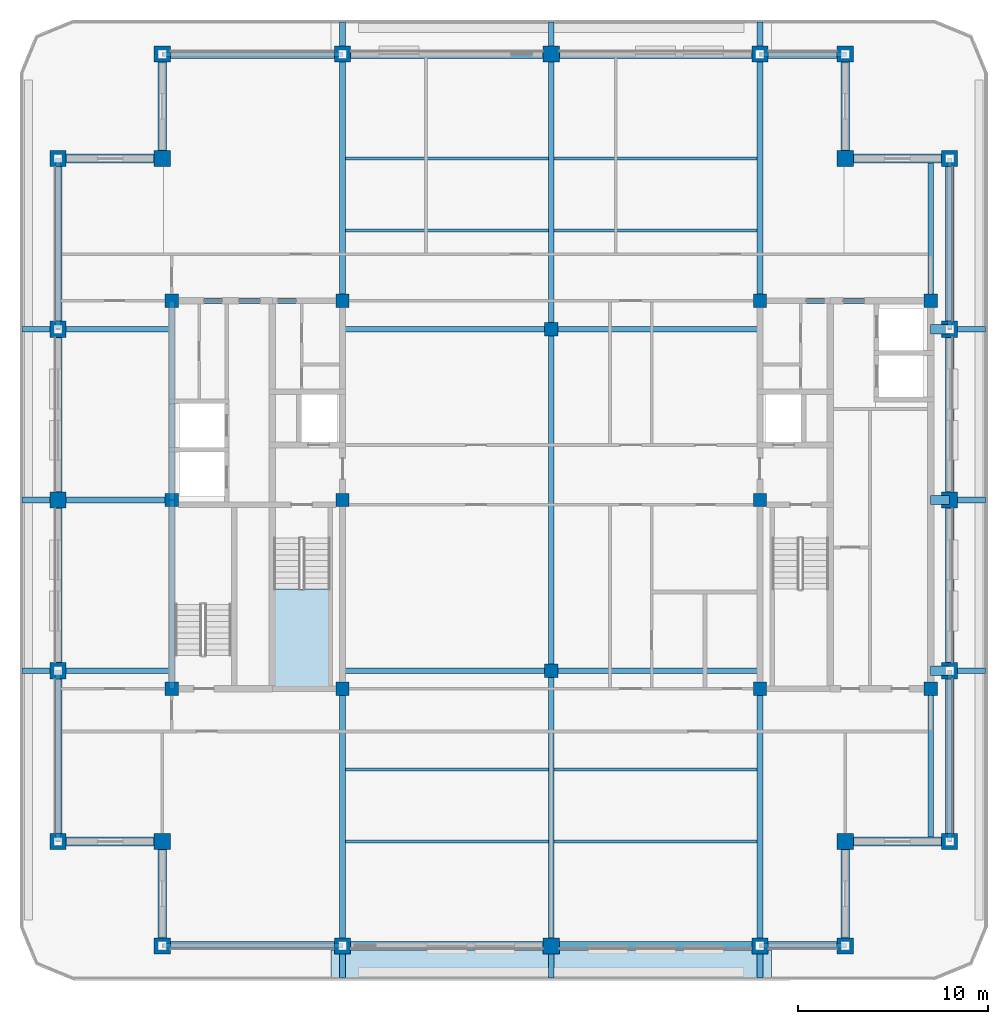
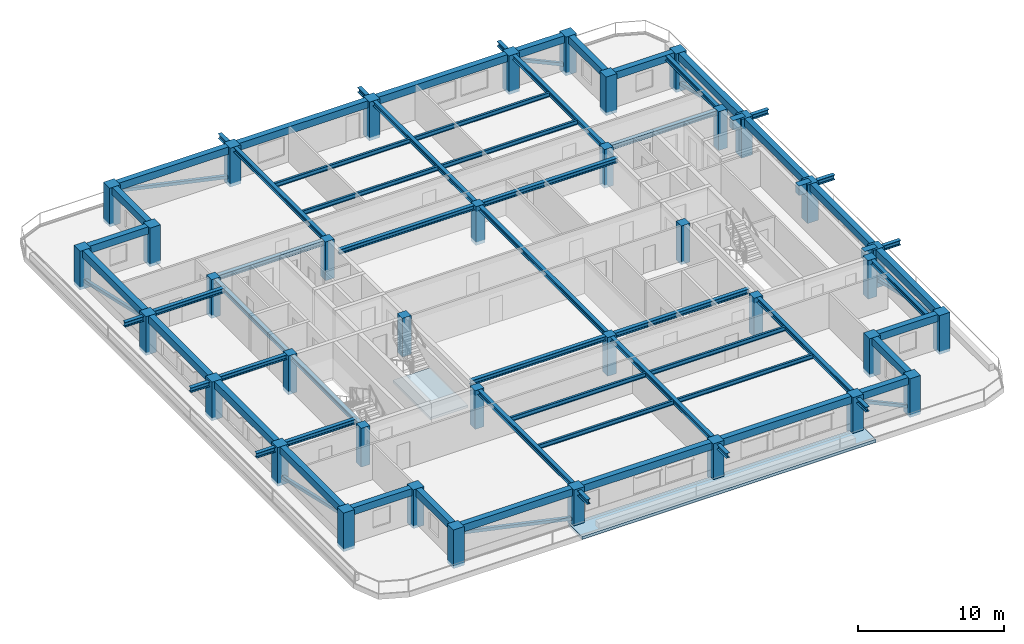
# One storey, part 1 of 11: 67 beams, 37 columns, 8 members, 2 slabs, 1 element without a shape of its own.
"""IFC4 building model written with IfcOpenShell, lengths in metres."""

from ifc_helpers import new_model, si_unit, direction, frame, origin, origin_2d, place, context, subcontext, project, spatial, polyline, rectangle, hollow_rectangle, i_section, outline, extrude, material, layer, layer_set, material_profile, profile_set, type_object, element, aggregate, save


model = new_model("IFC4")

# Units and contexts
model_context = context("Model", 3, precision=1e-05, world=origin(), true_north=direction((0.0, 1.0)))
body_context = subcontext(model_context, "Body", "Model", "MODEL_VIEW")
ifc_project = project(units=[si_unit("LENGTHUNIT", "METRE"), si_unit("AREAUNIT", "SQUARE_METRE"), si_unit("VOLUMEUNIT", "CUBIC_METRE"), si_unit("PLANEANGLEUNIT", "RADIAN"), si_unit("MASSUNIT", "GRAM", prefix="KILO")], contexts=[model_context])

# Site, building, storey
site_placement = place(None, origin())
site = spatial("IfcSite", under=ifc_project, at=site_placement, CompositionType="ELEMENT")
building_placement = place(site_placement, origin())
building = spatial("IfcBuilding", under=site, at=building_placement, Name="Zulmaris Gate Convention Tower", CompositionType="ELEMENT")
storey_placement = place(building_placement, frame((0.0, 0.0, 260.889892578125)))
storey = spatial("IfcBuildingStorey", under=building, at=storey_placement, Name="L69", CompositionType="ELEMENT", Elevation=260.889892578125)

# Columns
ifc_material_1 = material(Name="Concrete C50/60", Category="concrete")
ifc_material_profile_1 = material_profile(ifc_material_1, rectangle(XDim=0.699951171875, YDim=0.699951171875, at=origin_2d()), Name="RC COL 700x700")
ifc_profile_set_1 = profile_set([ifc_material_profile_1], Name="Concrete C50/60")
column_type_1 = type_object("IfcColumnType", Name="COL-RC700", PredefinedType="COLUMN", material=ifc_profile_set_1)
for number, where, z_axis, x_axis, name in (
    (1, (-20.0, -9.949951171875, -0.25), (0.0, 0.0, 1.0), (1.0, 0.0, 0.0), "L69 Column IN--20.00_-9.95"),
    (2, (-20.0, 10.5, -0.25), (0.0, 0.0, 1.0), (1.0, 0.0, 0.0), "L69 Column IN--20.00_+10.50"),
    (3, (-11.0, -9.949951171875, -0.25), (0.0, 0.0, 1.0), (1.0, 0.0, 0.0), "L69 Column IN--11.00_-9.95"),
    (4, (-11.0, 0.0, -0.25), (0.0, 0.0, 1.0), (1.0, 0.0, 0.0), "L69 Column IN--11.00_+0.00"),
    (5, (-11.0, 10.5, -0.25), (0.0, 0.0, 1.0), (1.0, 0.0, 0.0), "L69 Column IN--11.00_+10.50"),
    (6, (11.0, -9.949951171875, -0.25), (0.0, 0.0, 1.0), (1.0, 0.0, 0.0), "L69 Column IN-+11.00_-9.95"),
    (7, (11.0, 0.0, -0.25), (0.0, 0.0, 1.0), (1.0, 0.0, 0.0), "L69 Column IN-+11.00_+0.00"),
    (8, (11.0, 10.5, -0.25), (0.0, 0.0, 1.0), (1.0, 0.0, 0.0), "L69 Column IN-+11.00_+10.50"),
    (9, (20.0, -9.949951171875, -0.25), (0.0, 0.0, 1.0), (1.0, 0.0, 0.0), "L69 Column IN-+20.00_-9.95"),
    (10, (20.0, 10.5, -0.25), (0.0, 0.0, 1.0), (1.0, 0.0, 0.0), "L69 Column IN-+20.00_+10.50"),
    (11, (0.0, -9.0, -0.25), (0.0, 0.0, 1.0), (1.0, 0.0, 0.0), "L69 Column IN-+0.00_-9.00"),
    (12, (0.0, 9.0, -0.25), (0.0, 0.0, 1.0), (1.0, 0.0, 0.0), "L69 Column IN-+0.00_+9.00"),
    (13, (-20.0, 0.0, -0.25), (0.0, 0.0, 1.0), (1.0, 0.0, 0.0), "L69 Column IN--20.00_+0.00"),
):
    element("IfcColumn", number, at=place(storey_placement, frame(where, z_axis=z_axis, x_axis=x_axis)), inside=storey, type_object=column_type_1, Name=name, PredefinedType="COLUMN", context=body_context, shape_type="SweptSolid", body=[
        extrude(rectangle(XDim=0.699951171875, YDim=0.699951171875, at=origin_2d()), origin(), (0.0, 0.0, 1.0), 3.22998046875),
    ])
ifc_material_2 = material(Name="Concrete C60/75", Category="concrete")
ifc_material_profile_2 = material_profile(ifc_material_2, rectangle(XDim=0.85009765625, YDim=0.85009765625, at=origin_2d()), Name="RC COL 850x850")
ifc_profile_set_2 = profile_set([ifc_material_profile_2], Name="Concrete C60/75")
column_type_2 = type_object("IfcColumnType", Name="COL-RC850", PredefinedType="COLUMN", material=ifc_profile_set_2)
for number, where, z_axis, x_axis, name in (
    (14, (-20.5, -23.5, -0.25), (0.0, 0.0, 1.0), (1.0, 0.0, 0.0), "L69 Column PT--20.50_-23.50"),
    (15, (-11.0, -23.5, -0.25), (0.0, 0.0, 1.0), (1.0, 0.0, 0.0), "L69 Column PT--11.00_-23.50"),
    (16, (0.0, -23.5, -0.25), (0.0, 0.0, 1.0), (1.0, 0.0, 0.0), "L69 Column PT-+0.00_-23.50"),
    (17, (11.0, -23.5, -0.25), (0.0, 0.0, 1.0), (1.0, 0.0, 0.0), "L69 Column PT-+11.00_-23.50"),
    (18, (15.5, -23.5, -0.25), (0.0, 0.0, 1.0), (1.0, 0.0, 0.0), "L69 Column PT-+15.50_-23.50"),
    (19, (-20.5, 23.5, -0.25), (0.0, 0.0, 1.0), (1.0, 0.0, 0.0), "L69 Column PT--20.50_+23.50"),
    (20, (-11.0, 23.5, -0.25), (0.0, 0.0, 1.0), (1.0, 0.0, 0.0), "L69 Column PT--11.00_+23.50"),
    (21, (0.0, 23.5, -0.25), (0.0, 0.0, 1.0), (1.0, 0.0, 0.0), "L69 Column PT-+0.00_+23.50"),
    (22, (11.0, 23.5, -0.25), (0.0, 0.0, 1.0), (1.0, 0.0, 0.0), "L69 Column PT-+11.00_+23.50"),
    (23, (15.5, 23.5, -0.25), (0.0, 0.0, 1.0), (1.0, 0.0, 0.0), "L69 Column PT-+15.50_+23.50"),
    (24, (-26.0, -18.0, -0.25), (0.0, 0.0, 1.0), (1.0, 0.0, 0.0), "L69 Column PT--26.00_-18.00"),
    (25, (-26.0, -9.0, -0.25), (0.0, 0.0, 1.0), (1.0, 0.0, 0.0), "L69 Column PT--26.00_-9.00"),
    (26, (-26.0, 0.0, -0.25), (0.0, 0.0, 1.0), (1.0, 0.0, 0.0), "L69 Column PT--26.00_+0.00"),
    (27, (-26.0, 9.0, -0.25), (0.0, 0.0, 1.0), (1.0, 0.0, 0.0), "L69 Column PT--26.00_+9.00"),
    (28, (-26.0, 18.0, -0.25), (0.0, 0.0, 1.0), (1.0, 0.0, 0.0), "L69 Column PT--26.00_+18.00"),
    (29, (21.0, -18.0, -0.25), (0.0, 0.0, 1.0), (1.0, 0.0, 0.0), "L69 Column PT-+21.00_-18.00"),
    (30, (21.0, -9.0, -0.25), (0.0, 0.0, 1.0), (1.0, 0.0, 0.0), "L69 Column PT-+21.00_-9.00"),
    (31, (21.0, 0.0, -0.25), (0.0, 0.0, 1.0), (1.0, 0.0, 0.0), "L69 Column PT-+21.00_+0.00"),
    (32, (21.0, 9.0, -0.25), (0.0, 0.0, 1.0), (1.0, 0.0, 0.0), "L69 Column PT-+21.00_+9.00"),
    (33, (21.0, 18.0, -0.25), (0.0, 0.0, 1.0), (1.0, 0.0, 0.0), "L69 Column PT-+21.00_+18.00"),
    (34, (-20.5, -18.0, -0.25), (0.0, 0.0, 1.0), (1.0, 0.0, 0.0), "L69 Column PT--20.50_-18.00"),
    (35, (15.5, -18.0, -0.25), (0.0, 0.0, 1.0), (1.0, 0.0, 0.0), "L69 Column PT-+15.50_-18.00"),
    (36, (15.5, 18.0, -0.25), (0.0, 0.0, 1.0), (1.0, 0.0, 0.0), "L69 Column PT-+15.50_+18.00"),
    (37, (-20.5, 18.0, -0.25), (0.0, 0.0, 1.0), (1.0, 0.0, 0.0), "L69 Column PT--20.50_+18.00"),
):
    element("IfcColumn", number, at=place(storey_placement, frame(where, z_axis=z_axis, x_axis=x_axis)), inside=storey, type_object=column_type_2, Name=name, PredefinedType="COLUMN", context=body_context, shape_type="SweptSolid", body=[
        extrude(rectangle(XDim=0.85009765625, YDim=0.85009765625, at=origin_2d()), origin(), (0.0, 0.0, 1.0), 3.22998046875),
    ])

# Beams
ifc_material_3 = material(Name="Steel S355", Category="steel")
ifc_material_profile_3 = material_profile(ifc_material_3, i_section(OverallWidth=0.300048828125, OverallDepth=0.39990234375, WebThickness=0.013427734375, FlangeThickness=0.02392578125, FilletRadius=0.027099609375, at=origin_2d()), Name="HEB 400")
ifc_profile_set_3 = profile_set([ifc_material_profile_3], Name="Steel S355")
beam_type_1 = type_object("IfcBeamType", Name="BM-HEB400", PredefinedType="BEAM", material=ifc_profile_set_3)
for number, where, z_axis, x_axis, name in (
    (38, (-11.0, -25.199951171875, 2.639892578125), (0.0, 1.0, 0.0), (-1.0, 0.0, 0.0), "L69 Beam TBRK-L69-S--11"),
    (39, (-11.0, 23.5, 2.639892578125), (0.0, 1.0, 0.0), (-1.0, 0.0, 0.0), "L69 Beam TBRK-L69-N--11"),
    (40, (0.0, -25.199951171875, 2.639892578125), (0.0, 1.0, 0.0), (-1.0, 0.0, 0.0), "L69 Beam TBRK-L69-S-+0"),
    (41, (0.0, 23.5, 2.639892578125), (0.0, 1.0, 0.0), (-1.0, 0.0, 0.0), "L69 Beam TBRK-L69-N-+0"),
    (42, (11.0, -25.199951171875, 2.639892578125), (0.0, 1.0, 0.0), (-1.0, 0.0, 0.0), "L69 Beam TBRK-L69-S-+11"),
    (43, (11.0, 23.5, 2.639892578125), (0.0, 1.0, 0.0), (-1.0, 0.0, 0.0), "L69 Beam TBRK-L69-N-+11"),
):
    element("IfcBeam", number, at=place(storey_placement, frame(where, z_axis=z_axis, x_axis=x_axis)), inside=storey, type_object=beam_type_1, Name=name, PredefinedType="BEAM", context=body_context, shape_type="SweptSolid", body=[
        extrude(i_section(OverallWidth=0.300048828125, OverallDepth=0.39990234375, WebThickness=0.013427734375, FlangeThickness=0.02392578125, FilletRadius=0.027099609375, at=origin_2d()), origin(), (0.0, 0.0, 1.0), 1.699951171875),
    ])
for number, where, z_axis, x_axis, name in (
    (44, (-27.89990234375, -9.0, 2.639892578125), (1.0, 0.0, 0.0), (0.0, 1.0, 0.0), "L69 Beam TBRK-L69-W--9"),
    (45, (21.0, -9.0, 2.639892578125), (1.0, 0.0, 0.0), (0.0, 1.0, 0.0), "L69 Beam TBRK-L69-E--9"),
    (46, (-27.89990234375, 0.0, 2.639892578125), (1.0, 0.0, 0.0), (0.0, 1.0, 0.0), "L69 Beam TBRK-L69-W-+0"),
    (47, (21.0, 0.0, 2.639892578125), (1.0, 0.0, 0.0), (0.0, 1.0, 0.0), "L69 Beam TBRK-L69-E-+0"),
    (48, (-27.89990234375, 9.0, 2.639892578125), (1.0, 0.0, 0.0), (0.0, 1.0, 0.0), "L69 Beam TBRK-L69-W-+9"),
    (49, (21.0, 9.0, 2.639892578125), (1.0, 0.0, 0.0), (0.0, 1.0, 0.0), "L69 Beam TBRK-L69-E-+9"),
):
    element("IfcBeam", number, at=place(storey_placement, frame(where, z_axis=z_axis, x_axis=x_axis)), inside=storey, type_object=beam_type_1, Name=name, PredefinedType="BEAM", context=body_context, shape_type="SweptSolid", body=[
        extrude(i_section(OverallWidth=0.300048828125, OverallDepth=0.39990234375, WebThickness=0.013427734375, FlangeThickness=0.02392578125, FilletRadius=0.027099609375, at=origin_2d()), origin(), (0.0, 0.0, 1.0), 1.89990234375),
    ])
for number, where, z_axis, x_axis, name in (
    (50, (-11.0, -9.0, 2.778076171875), (1.0, 0.0, 0.0), (0.0, 1.0, 0.0), "L69 Beam BM-L69-G01"),
    (51, (0.0, -9.0, 2.778076171875), (1.0, 0.0, 0.0), (0.0, 1.0, 0.0), "L69 Beam BM-L69-G02"),
    (52, (-11.0, 9.0, 2.778076171875), (1.0, 0.0, 0.0), (0.0, 1.0, 0.0), "L69 Beam BM-L69-G03"),
    (53, (0.0, 9.0, 2.778076171875), (1.0, 0.0, 0.0), (0.0, 1.0, 0.0), "L69 Beam BM-L69-G04"),
):
    element("IfcBeam", number, at=place(storey_placement, frame(where, z_axis=z_axis, x_axis=x_axis)), inside=storey, type_object=beam_type_1, Name=name, PredefinedType="BEAM", context=body_context, shape_type="SweptSolid", body=[
        extrude(i_section(OverallWidth=0.300048828125, OverallDepth=0.39990234375, WebThickness=0.013427734375, FlangeThickness=0.02392578125, FilletRadius=0.027099609375, at=origin_2d()), origin(), (0.0, 0.0, 1.0), 11.0),
    ])
beam_1_placement = place(storey_placement, frame((0.0, -23.5, 2.778076171875), z_axis=(0.0, 1.0, 0.0), x_axis=(-1.0, 0.0, 0.0)))
element("IfcBeam", 54, at=beam_1_placement, inside=storey, type_object=beam_type_1, Name="L69 Beam BM-L69-G05", PredefinedType="BEAM", context=body_context, shape_type="SweptSolid", body=[
    extrude(i_section(OverallWidth=0.300048828125, OverallDepth=0.39990234375, WebThickness=0.013427734375, FlangeThickness=0.02392578125, FilletRadius=0.027099609375, at=origin_2d()), origin(), (0.0, 0.0, 1.0), 14.5),
])
beam_2_placement = place(storey_placement, frame((0.0, -9.0, 2.778076171875), z_axis=(0.0, 1.0, 0.0), x_axis=(-1.0, 0.0, 0.0)))
element("IfcBeam", 55, at=beam_2_placement, inside=storey, type_object=beam_type_1, Name="L69 Beam BM-L69-G06", PredefinedType="BEAM", context=body_context, shape_type="SweptSolid", body=[
    extrude(i_section(OverallWidth=0.300048828125, OverallDepth=0.39990234375, WebThickness=0.013427734375, FlangeThickness=0.02392578125, FilletRadius=0.027099609375, at=origin_2d()), origin(), (0.0, 0.0, 1.0), 18.0),
])
beam_3_placement = place(storey_placement, frame((0.0, 9.0, 2.778076171875), z_axis=(0.0, 1.0, 0.0), x_axis=(-1.0, 0.0, 0.0)))
element("IfcBeam", 56, at=beam_3_placement, inside=storey, type_object=beam_type_1, Name="L69 Beam BM-L69-G07", PredefinedType="BEAM", context=body_context, shape_type="SweptSolid", body=[
    extrude(i_section(OverallWidth=0.300048828125, OverallDepth=0.39990234375, WebThickness=0.013427734375, FlangeThickness=0.02392578125, FilletRadius=0.027099609375, at=origin_2d()), origin(), (0.0, 0.0, 1.0), 14.5),
])
beam_4_placement = place(storey_placement, frame((-11.0, -23.5, 2.778076171875), z_axis=(0.0, 1.0, 0.0), x_axis=(-1.0, 0.0, 0.0)))
element("IfcBeam", 57, at=beam_4_placement, inside=storey, type_object=beam_type_1, Name="L69 Beam BM-L69-G08", PredefinedType="BEAM", context=body_context, shape_type="SweptSolid", body=[
    extrude(i_section(OverallWidth=0.300048828125, OverallDepth=0.39990234375, WebThickness=0.013427734375, FlangeThickness=0.02392578125, FilletRadius=0.027099609375, at=origin_2d()), origin(), (0.0, 0.0, 1.0), 13.550048828125),
])
beam_5_placement = place(storey_placement, frame((-11.0, 10.5, 2.778076171875), z_axis=(0.0, 1.0, 0.0), x_axis=(-1.0, 0.0, 0.0)))
element("IfcBeam", 58, at=beam_5_placement, inside=storey, type_object=beam_type_1, Name="L69 Beam BM-L69-G09", PredefinedType="BEAM", context=body_context, shape_type="SweptSolid", body=[
    extrude(i_section(OverallWidth=0.300048828125, OverallDepth=0.39990234375, WebThickness=0.013427734375, FlangeThickness=0.02392578125, FilletRadius=0.027099609375, at=origin_2d()), origin(), (0.0, 0.0, 1.0), 13.0),
])
beam_6_placement = place(storey_placement, frame((11.0, -23.5, 2.778076171875), z_axis=(0.0, 1.0, 0.0), x_axis=(-1.0, 0.0, 0.0)))
element("IfcBeam", 59, at=beam_6_placement, inside=storey, type_object=beam_type_1, Name="L69 Beam BM-L69-G10", PredefinedType="BEAM", context=body_context, shape_type="SweptSolid", body=[
    extrude(i_section(OverallWidth=0.300048828125, OverallDepth=0.39990234375, WebThickness=0.013427734375, FlangeThickness=0.02392578125, FilletRadius=0.027099609375, at=origin_2d()), origin(), (0.0, 0.0, 1.0), 13.550048828125),
])
beam_7_placement = place(storey_placement, frame((11.0, 10.5, 2.778076171875), z_axis=(0.0, 1.0, 0.0), x_axis=(-1.0, 0.0, 0.0)))
element("IfcBeam", 60, at=beam_7_placement, inside=storey, type_object=beam_type_1, Name="L69 Beam BM-L69-G11", PredefinedType="BEAM", context=body_context, shape_type="SweptSolid", body=[
    extrude(i_section(OverallWidth=0.300048828125, OverallDepth=0.39990234375, WebThickness=0.013427734375, FlangeThickness=0.02392578125, FilletRadius=0.027099609375, at=origin_2d()), origin(), (0.0, 0.0, 1.0), 13.0),
])
beam_8_placement = place(storey_placement, frame((20.0, -18.0, 2.778076171875), z_axis=(0.0, 1.0, 0.0), x_axis=(-1.0, 0.0, 0.0)))
element("IfcBeam", 61, at=beam_8_placement, inside=storey, type_object=beam_type_1, Name="L69 Beam BM-L69-G14", PredefinedType="BEAM", context=body_context, shape_type="SweptSolid", body=[
    extrude(i_section(OverallWidth=0.300048828125, OverallDepth=0.39990234375, WebThickness=0.013427734375, FlangeThickness=0.02392578125, FilletRadius=0.027099609375, at=origin_2d()), origin(), (0.0, 0.0, 1.0), 8.050048828125),
])
beam_9_placement = place(storey_placement, frame((20.0, 10.5, 2.778076171875), z_axis=(0.0, 1.0, 0.0), x_axis=(-1.0, 0.0, 0.0)))
element("IfcBeam", 62, at=beam_9_placement, inside=storey, type_object=beam_type_1, Name="L69 Beam BM-L69-G15", PredefinedType="BEAM", context=body_context, shape_type="SweptSolid", body=[
    extrude(i_section(OverallWidth=0.300048828125, OverallDepth=0.39990234375, WebThickness=0.013427734375, FlangeThickness=0.02392578125, FilletRadius=0.027099609375, at=origin_2d()), origin(), (0.0, 0.0, 1.0), 7.5),
])
for number, where, z_axis, x_axis, name in (
    (63, (-26.0, -9.0, 2.778076171875), (1.0, 0.0, 0.0), (0.0, 1.0, 0.0), "L69 Beam BM-L69-G16"),
    (64, (-26.0, 0.0, 2.778076171875), (1.0, 0.0, 0.0), (0.0, 1.0, 0.0), "L69 Beam BM-L69-G17"),
    (65, (-26.0, 9.0, 2.778076171875), (1.0, 0.0, 0.0), (0.0, 1.0, 0.0), "L69 Beam BM-L69-G18"),
):
    element("IfcBeam", number, at=place(storey_placement, frame(where, z_axis=z_axis, x_axis=x_axis)), inside=storey, type_object=beam_type_1, Name=name, PredefinedType="BEAM", context=body_context, shape_type="SweptSolid", body=[
        extrude(i_section(OverallWidth=0.300048828125, OverallDepth=0.39990234375, WebThickness=0.013427734375, FlangeThickness=0.02392578125, FilletRadius=0.027099609375, at=origin_2d()), origin(), (0.0, 0.0, 1.0), 6.0),
    ])
for number, where, z_axis, x_axis, name in (
    (66, (-20.0, 10.5, 2.778076171875), (1.0, 0.0, 0.0), (0.0, 1.0, 0.0), "L69 Beam BM-L69-G23"),
    (67, (11.0, 10.5, 2.778076171875), (1.0, 0.0, 0.0), (0.0, 1.0, 0.0), "L69 Beam BM-L69-G25"),
):
    element("IfcBeam", number, at=place(storey_placement, frame(where, z_axis=z_axis, x_axis=x_axis)), inside=storey, type_object=beam_type_1, Name=name, PredefinedType="BEAM", context=body_context, shape_type="SweptSolid", body=[
        extrude(i_section(OverallWidth=0.300048828125, OverallDepth=0.39990234375, WebThickness=0.013427734375, FlangeThickness=0.02392578125, FilletRadius=0.027099609375, at=origin_2d()), origin(), (0.0, 0.0, 1.0), 9.0),
    ])
beam_10_placement = place(storey_placement, frame((-20.0, -9.949951171875, 2.778076171875), z_axis=(0.0, 1.0, 0.0), x_axis=(-1.0, 0.0, 0.0)))
element("IfcBeam", 68, at=beam_10_placement, inside=storey, type_object=beam_type_1, Name="L69 Beam BM-L69-G26", PredefinedType="BEAM", context=body_context, shape_type="SweptSolid", body=[
    extrude(i_section(OverallWidth=0.300048828125, OverallDepth=0.39990234375, WebThickness=0.013427734375, FlangeThickness=0.02392578125, FilletRadius=0.027099609375, at=origin_2d()), origin(), (0.0, 0.0, 1.0), 9.949951171875),
])
beam_11_placement = place(storey_placement, frame((-20.0, 0.0, 2.778076171875), z_axis=(0.0, 1.0, 0.0), x_axis=(-1.0, 0.0, 0.0)))
element("IfcBeam", 69, at=beam_11_placement, inside=storey, type_object=beam_type_1, Name="L69 Beam BM-L69-G27", PredefinedType="BEAM", context=body_context, shape_type="SweptSolid", body=[
    extrude(i_section(OverallWidth=0.300048828125, OverallDepth=0.39990234375, WebThickness=0.013427734375, FlangeThickness=0.02392578125, FilletRadius=0.027099609375, at=origin_2d()), origin(), (0.0, 0.0, 1.0), 10.5),
])
ifc_material_profile_4 = material_profile(ifc_material_1, rectangle(XDim=0.5, YDim=0.800048828125, at=origin_2d()), Name="RC BEAM 500x800")
ifc_profile_set_4 = profile_set([ifc_material_profile_4], Name="Concrete C50/60")
beam_type_2 = type_object("IfcBeamType", Name="BM-RC500x800", PredefinedType="BEAM", material=ifc_profile_set_4)
for number, where, z_axis, x_axis, name in (
    (70, (20.0, -9.0, 2.580078125), (1.0, 0.0, 0.0), (0.0, 1.0, 0.0), "L69 Beam BM-L69-G19"),
    (71, (20.0, 0.0, 2.580078125), (1.0, 0.0, 0.0), (0.0, 1.0, 0.0), "L69 Beam BM-L69-G20"),
    (72, (20.0, 9.0, 2.580078125), (1.0, 0.0, 0.0), (0.0, 1.0, 0.0), "L69 Beam BM-L69-G21"),
):
    element("IfcBeam", number, at=place(storey_placement, frame(where, z_axis=z_axis, x_axis=x_axis)), inside=storey, type_object=beam_type_2, Name=name, PredefinedType="BEAM", context=body_context, shape_type="SweptSolid", body=[
        extrude(rectangle(XDim=0.5, YDim=0.800048828125, at=origin_2d()), origin(), (0.0, 0.0, 1.0), 1.0),
    ])
ifc_material_4 = material(Name="Precast concrete C50/60", Category="concrete")
ifc_material_profile_5 = material_profile(ifc_material_4, rectangle(XDim=0.449951171875, YDim=0.60009765625, at=origin_2d()), Name="RC SPANDREL 450x600")
ifc_profile_set_5 = profile_set([ifc_material_profile_5], Name="Precast concrete C50/60")
beam_type_3 = type_object("IfcBeamType", Name="BM-SP450x600", PredefinedType="SPANDREL", material=ifc_profile_set_5)
beam_12_placement = place(storey_placement, frame((-20.5, -23.5, 2.679931640625), z_axis=(1.0, 0.0, 0.0), x_axis=(0.0, 1.0, 0.0)))
element("IfcBeam", 73, at=beam_12_placement, inside=storey, type_object=beam_type_3, Name="L69 Spandrel SP-L69-01", PredefinedType="SPANDREL", context=body_context, shape_type="SweptSolid", body=[
    extrude(rectangle(XDim=0.449951171875, YDim=0.60009765625, at=origin_2d()), origin(), (0.0, 0.0, 1.0), 9.5),
])
for number, where, z_axis, x_axis, name in (
    (74, (-11.0, -23.5, 2.679931640625), (1.0, 0.0, 0.0), (0.0, 1.0, 0.0), "L69 Spandrel SP-L69-02"),
    (75, (0.0, -23.5, 2.679931640625), (1.0, 0.0, 0.0), (0.0, 1.0, 0.0), "L69 Spandrel SP-L69-03"),
):
    element("IfcBeam", number, at=place(storey_placement, frame(where, z_axis=z_axis, x_axis=x_axis)), inside=storey, type_object=beam_type_3, Name=name, PredefinedType="SPANDREL", context=body_context, shape_type="SweptSolid", body=[
        extrude(rectangle(XDim=0.449951171875, YDim=0.60009765625, at=origin_2d()), origin(), (0.0, 0.0, 1.0), 11.0),
    ])
beam_13_placement = place(storey_placement, frame((11.0, -23.5, 2.679931640625), z_axis=(1.0, 0.0, 0.0), x_axis=(0.0, 1.0, 0.0)))
element("IfcBeam", 76, at=beam_13_placement, inside=storey, type_object=beam_type_3, Name="L69 Spandrel SP-L69-04", PredefinedType="SPANDREL", context=body_context, shape_type="SweptSolid", body=[
    extrude(rectangle(XDim=0.449951171875, YDim=0.60009765625, at=origin_2d()), origin(), (0.0, 0.0, 1.0), 4.5),
])
for number, where, z_axis, x_axis, name in (
    (77, (15.5, -23.5, 2.679931640625), (0.0, 1.0, 0.0), (-1.0, 0.0, 0.0), "L69 Spandrel SP-L69-05"),
    (78, (15.5, -18.0, 2.679931640625), (1.0, 0.0, 0.0), (0.0, 1.0, 0.0), "L69 Spandrel SP-L69-06"),
):
    element("IfcBeam", number, at=place(storey_placement, frame(where, z_axis=z_axis, x_axis=x_axis)), inside=storey, type_object=beam_type_3, Name=name, PredefinedType="SPANDREL", context=body_context, shape_type="SweptSolid", body=[
        extrude(rectangle(XDim=0.449951171875, YDim=0.60009765625, at=origin_2d()), origin(), (0.0, 0.0, 1.0), 5.5),
    ])
for number, where, z_axis, x_axis, name in (
    (79, (21.0, -18.0, 2.679931640625), (0.0, 1.0, 0.0), (-1.0, 0.0, 0.0), "L69 Spandrel SP-L69-07"),
    (80, (21.0, -9.0, 2.679931640625), (0.0, 1.0, 0.0), (-1.0, 0.0, 0.0), "L69 Spandrel SP-L69-08"),
    (81, (21.0, 0.0, 2.679931640625), (0.0, 1.0, 0.0), (-1.0, 0.0, 0.0), "L69 Spandrel SP-L69-09"),
    (82, (21.0, 9.0, 2.679931640625), (0.0, 1.0, 0.0), (-1.0, 0.0, 0.0), "L69 Spandrel SP-L69-10"),
):
    element("IfcBeam", number, at=place(storey_placement, frame(where, z_axis=z_axis, x_axis=x_axis)), inside=storey, type_object=beam_type_3, Name=name, PredefinedType="SPANDREL", context=body_context, shape_type="SweptSolid", body=[
        extrude(rectangle(XDim=0.449951171875, YDim=0.60009765625, at=origin_2d()), origin(), (0.0, 0.0, 1.0), 9.0),
    ])
for number, where, z_axis, x_axis, name in (
    (83, (21.0, 18.0, 2.679931640625), (-1.0, 0.0, 0.0), (0.0, -1.0, 0.0), "L69 Spandrel SP-L69-11"),
    (84, (15.5, 18.0, 2.679931640625), (0.0, 1.0, 0.0), (-1.0, 0.0, 0.0), "L69 Spandrel SP-L69-12"),
):
    element("IfcBeam", number, at=place(storey_placement, frame(where, z_axis=z_axis, x_axis=x_axis)), inside=storey, type_object=beam_type_3, Name=name, PredefinedType="SPANDREL", context=body_context, shape_type="SweptSolid", body=[
        extrude(rectangle(XDim=0.449951171875, YDim=0.60009765625, at=origin_2d()), origin(), (0.0, 0.0, 1.0), 5.5),
    ])
beam_14_placement = place(storey_placement, frame((15.5, 23.5, 2.679931640625), z_axis=(-1.0, 0.0, 0.0), x_axis=(0.0, -1.0, 0.0)))
element("IfcBeam", 85, at=beam_14_placement, inside=storey, type_object=beam_type_3, Name="L69 Spandrel SP-L69-13", PredefinedType="SPANDREL", context=body_context, shape_type="SweptSolid", body=[
    extrude(rectangle(XDim=0.449951171875, YDim=0.60009765625, at=origin_2d()), origin(), (0.0, 0.0, 1.0), 4.5),
])
for number, where, z_axis, x_axis, name in (
    (86, (11.0, 23.5, 2.679931640625), (-1.0, 0.0, 0.0), (0.0, -1.0, 0.0), "L69 Spandrel SP-L69-14"),
    (87, (0.0, 23.5, 2.679931640625), (-1.0, 0.0, 0.0), (0.0, -1.0, 0.0), "L69 Spandrel SP-L69-15"),
):
    element("IfcBeam", number, at=place(storey_placement, frame(where, z_axis=z_axis, x_axis=x_axis)), inside=storey, type_object=beam_type_3, Name=name, PredefinedType="SPANDREL", context=body_context, shape_type="SweptSolid", body=[
        extrude(rectangle(XDim=0.449951171875, YDim=0.60009765625, at=origin_2d()), origin(), (0.0, 0.0, 1.0), 11.0),
    ])
beam_15_placement = place(storey_placement, frame((-11.0, 23.5, 2.679931640625), z_axis=(-1.0, 0.0, 0.0), x_axis=(0.0, -1.0, 0.0)))
element("IfcBeam", 88, at=beam_15_placement, inside=storey, type_object=beam_type_3, Name="L69 Spandrel SP-L69-16", PredefinedType="SPANDREL", context=body_context, shape_type="SweptSolid", body=[
    extrude(rectangle(XDim=0.449951171875, YDim=0.60009765625, at=origin_2d()), origin(), (0.0, 0.0, 1.0), 9.5),
])
for number, where, z_axis, x_axis, name in (
    (89, (-20.5, 23.5, 2.679931640625), (0.0, -1.0, 0.0), (1.0, 0.0, 0.0), "L69 Spandrel SP-L69-17"),
    (90, (-20.5, 18.0, 2.679931640625), (-1.0, 0.0, 0.0), (0.0, -1.0, 0.0), "L69 Spandrel SP-L69-18"),
):
    element("IfcBeam", number, at=place(storey_placement, frame(where, z_axis=z_axis, x_axis=x_axis)), inside=storey, type_object=beam_type_3, Name=name, PredefinedType="SPANDREL", context=body_context, shape_type="SweptSolid", body=[
        extrude(rectangle(XDim=0.449951171875, YDim=0.60009765625, at=origin_2d()), origin(), (0.0, 0.0, 1.0), 5.5),
    ])
for number, where, z_axis, x_axis, name in (
    (91, (-26.0, 18.0, 2.679931640625), (0.0, -1.0, 0.0), (1.0, 0.0, 0.0), "L69 Spandrel SP-L69-19"),
    (92, (-26.0, 9.0, 2.679931640625), (0.0, -1.0, 0.0), (1.0, 0.0, 0.0), "L69 Spandrel SP-L69-20"),
    (93, (-26.0, 0.0, 2.679931640625), (0.0, -1.0, 0.0), (1.0, 0.0, 0.0), "L69 Spandrel SP-L69-21"),
    (94, (-26.0, -9.0, 2.679931640625), (0.0, -1.0, 0.0), (1.0, 0.0, 0.0), "L69 Spandrel SP-L69-22"),
):
    element("IfcBeam", number, at=place(storey_placement, frame(where, z_axis=z_axis, x_axis=x_axis)), inside=storey, type_object=beam_type_3, Name=name, PredefinedType="SPANDREL", context=body_context, shape_type="SweptSolid", body=[
        extrude(rectangle(XDim=0.449951171875, YDim=0.60009765625, at=origin_2d()), origin(), (0.0, 0.0, 1.0), 9.0),
    ])
for number, where, z_axis, x_axis, name in (
    (95, (-26.0, -18.0, 2.679931640625), (1.0, 0.0, 0.0), (0.0, 1.0, 0.0), "L69 Spandrel SP-L69-23"),
    (96, (-20.5, -18.0, 2.679931640625), (0.0, -1.0, 0.0), (1.0, 0.0, 0.0), "L69 Spandrel SP-L69-24"),
):
    element("IfcBeam", number, at=place(storey_placement, frame(where, z_axis=z_axis, x_axis=x_axis)), inside=storey, type_object=beam_type_3, Name=name, PredefinedType="SPANDREL", context=body_context, shape_type="SweptSolid", body=[
        extrude(rectangle(XDim=0.449951171875, YDim=0.60009765625, at=origin_2d()), origin(), (0.0, 0.0, 1.0), 5.5),
    ])

# Members
ifc_material_profile_6 = material_profile(ifc_material_3, hollow_rectangle(XDim=0.25, YDim=0.25, WallThickness=0.012451171875, at=origin_2d()), Name="SHS 250x250x12.5")
ifc_profile_set_6 = profile_set([ifc_material_profile_6], Name="Steel S355")
member_type = type_object("IfcMemberType", Name="BR-SHS250", PredefinedType="BRACE", material=ifc_profile_set_6)
for number, where, z_axis, x_axis, name in (
    (97, (-26.0, -9.0, 0.300048828125), (0.0, -0.974789860724, 0.223124914409), (1.0, 0.0, 0.0), "L69 Perimeter Tube Diagonal SW-W"),
    (98, (-26.0, 18.0, 0.300048828125), (0.0, -0.974789860724, 0.223124914409), (1.0, 0.0, 0.0), "L69 Perimeter Tube Diagonal NW-W"),
    (99, (21.0, -9.0, 0.300048828125), (0.0, -0.974789860724, 0.223124914409), (1.0, 0.0, 0.0), "L69 Perimeter Tube Diagonal SE-E"),
    (100, (21.0, 18.0, 0.300048828125), (0.0, -0.974789860724, 0.223124914409), (1.0, 0.0, 0.0), "L69 Perimeter Tube Diagonal NE-E"),
):
    element("IfcMember", number, at=place(storey_placement, frame(where, z_axis=z_axis, x_axis=x_axis)), inside=storey, type_object=member_type, Name=name, PredefinedType="BRACE", context=body_context, shape_type="SweptSolid", body=[
        extrude(hollow_rectangle(XDim=0.25, YDim=0.25, WallThickness=0.012451171875, at=origin_2d()), origin(), (0.0, 0.0, 1.0), 9.232666015625),
    ])
member_1_placement = place(storey_placement, frame((-11.0, -23.5, 0.300048828125), z_axis=(-0.977286395287, 0.0, 0.21192286707), x_axis=(0.0, -1.0, 0.0)))
element("IfcMember", 101, at=member_1_placement, inside=storey, type_object=member_type, Name="L69 Perimeter Tube Diagonal SW-S", PredefinedType="BRACE", context=body_context, shape_type="SweptSolid", body=[
    extrude(hollow_rectangle(XDim=0.25, YDim=0.25, WallThickness=0.012451171875, at=origin_2d()), origin(), (0.0, 0.0, 1.0), 9.720703125),
])
member_2_placement = place(storey_placement, frame((15.5, -23.5, 0.300048828125), z_axis=(-0.909251577034, 0.0, 0.416247005589), x_axis=(0.0, -1.0, 0.0)))
element("IfcMember", 102, at=member_2_placement, inside=storey, type_object=member_type, Name="L69 Perimeter Tube Diagonal SE-S", PredefinedType="BRACE", context=body_context, shape_type="SweptSolid", body=[
    extrude(hollow_rectangle(XDim=0.25, YDim=0.25, WallThickness=0.012451171875, at=origin_2d()), origin(), (0.0, 0.0, 1.0), 4.94921875),
])
member_3_placement = place(storey_placement, frame((-11.0, 23.5, 0.300048828125), z_axis=(-0.977286395287, 0.0, 0.21192286707), x_axis=(0.0, -1.0, 0.0)))
element("IfcMember", 103, at=member_3_placement, inside=storey, type_object=member_type, Name="L69 Perimeter Tube Diagonal NW-N", PredefinedType="BRACE", context=body_context, shape_type="SweptSolid", body=[
    extrude(hollow_rectangle(XDim=0.25, YDim=0.25, WallThickness=0.012451171875, at=origin_2d()), origin(), (0.0, 0.0, 1.0), 9.720703125),
])
member_4_placement = place(storey_placement, frame((15.5, 23.5, 0.300048828125), z_axis=(-0.909251577034, 0.0, 0.416247005589), x_axis=(0.0, -1.0, 0.0)))
element("IfcMember", 104, at=member_4_placement, inside=storey, type_object=member_type, Name="L69 Perimeter Tube Diagonal NE-N", PredefinedType="BRACE", context=body_context, shape_type="SweptSolid", body=[
    extrude(hollow_rectangle(XDim=0.25, YDim=0.25, WallThickness=0.012451171875, at=origin_2d()), origin(), (0.0, 0.0, 1.0), 4.94921875),
])

# Beams
ifc_material_profile_7 = material_profile(ifc_material_3, i_section(OverallWidth=0.169921875, OverallDepth=0.360107421875, WebThickness=0.008056640625, FlangeThickness=0.0126953125, FilletRadius=0.01806640625, at=origin_2d()), Name="IPE 360")
ifc_profile_set_7 = profile_set([ifc_material_profile_7], Name="Steel S355")
beam_type_4 = type_object("IfcBeamType", Name="JT-IPE360", PredefinedType="JOIST", material=ifc_profile_set_7)
for number, where, z_axis, x_axis, name in (
    (105, (-10.85009765625, -18.0, 2.798095703125), (1.0, 0.0, 0.0), (0.0, 1.0, 0.0), "L69 Joist JT-L69-CW--18.0"),
    (106, (0.14990234375, -18.0, 2.798095703125), (1.0, 0.0, 0.0), (0.0, 1.0, 0.0), "L69 Joist JT-L69-CE--18.0"),
    (107, (-10.85009765625, -14.199951171875, 2.798095703125), (1.0, 0.0, 0.0), (0.0, 1.0, 0.0), "L69 Joist JT-L69-CW--14.2"),
    (108, (0.14990234375, -14.199951171875, 2.798095703125), (1.0, 0.0, 0.0), (0.0, 1.0, 0.0), "L69 Joist JT-L69-CE--14.2"),
    (109, (-10.85009765625, 14.199951171875, 2.798095703125), (1.0, 0.0, 0.0), (0.0, 1.0, 0.0), "L69 Joist JT-L69-CW-+14.2"),
    (110, (0.14990234375, 14.199951171875, 2.798095703125), (1.0, 0.0, 0.0), (0.0, 1.0, 0.0), "L69 Joist JT-L69-CE-+14.2"),
    (111, (-10.85009765625, 18.0, 2.798095703125), (1.0, 0.0, 0.0), (0.0, 1.0, 0.0), "L69 Joist JT-L69-CW-+18.0"),
    (112, (0.14990234375, 18.0, 2.798095703125), (1.0, 0.0, 0.0), (0.0, 1.0, 0.0), "L69 Joist JT-L69-CE-+18.0"),
):
    element("IfcBeam", number, at=place(storey_placement, frame(where, z_axis=z_axis, x_axis=x_axis)), inside=storey, type_object=beam_type_4, Name=name, PredefinedType="JOIST", context=body_context, shape_type="SweptSolid", body=[
        extrude(i_section(OverallWidth=0.169921875, OverallDepth=0.360107421875, WebThickness=0.008056640625, FlangeThickness=0.0126953125, FilletRadius=0.01806640625, at=origin_2d()), origin(), (0.0, 0.0, 1.0), 10.7001953125),
    ])

# Slab
ifc_layer_1 = layer(ifc_material_4, 0.239990234375, Name="Precast concrete C50/60")
ifc_layer_set_1 = layer_set([ifc_layer_1], Name="Precast concrete C50/60")
slab_type_1 = type_object("IfcSlabType", Name="SL-BAL-240", PredefinedType="FLOOR", material=ifc_layer_set_1)
slab_1_placement = place(storey_placement, frame((0.0, 0.0, -0.25)))
element("IfcSlab", 113, at=slab_1_placement, inside=storey, type_object=slab_type_1, Name="L69 South Tree-Balcony Planter Slab", PredefinedType="FLOOR", context=body_context, shape_type="SweptSolid", body=[
    extrude(outline(polyline([(-11.597900390625, -25.300048828125), (-11.597900390625, -23.5), (11.597900390625, -23.5), (11.597900390625, -25.300048828125), (-11.597900390625, -25.300048828125)])), origin(), (0.0, 0.0, 1.0), 0.239990234375),
])

# Stair, slab
ifc_material_5 = material(Name="Concrete C45/55", Category="concrete")
stair_type = type_object("IfcStairType", Name="ST-CORE-DOGLEG", PredefinedType="HALF_TURN_STAIR", material=ifc_material_5)
stair_placement = place(storey_placement, origin())
stair = element("IfcStair", 114, at=stair_placement, inside=storey, type_object=stair_type, Name="L69 Core Exit Stair ST-1", PredefinedType="HALF_TURN_STAIR")
ifc_layer_2 = layer(ifc_material_5, 0.199951171875, Name="Concrete C45/55")
ifc_layer_set_2 = layer_set([ifc_layer_2], Name="Concrete C45/55")
slab_type_2 = type_object("IfcSlabType", Name="SL-LND-200", PredefinedType="LANDING", material=ifc_layer_set_2)
slab_2_placement = place(storey_placement, frame((0.0, 0.0, 1.4150390625)))
slab_2 = element("IfcSlab", 115, at=slab_2_placement, type_object=slab_type_2, Name="ST-1 landing 1", PredefinedType="LANDING", context=body_context, shape_type="SweptSolid", body=[
    extrude(outline(polyline([(-14.6201171875, -4.699951171875), (-14.6201171875, -9.85009765625), (-11.659912109375, -9.85009765625), (-11.659912109375, -4.699951171875), (-14.6201171875, -4.699951171875)])), origin(), (0.0, 0.0, 1.0), 0.199951171875),
])
aggregate(stair, [slab_2])

save(model, "model.ifc")
